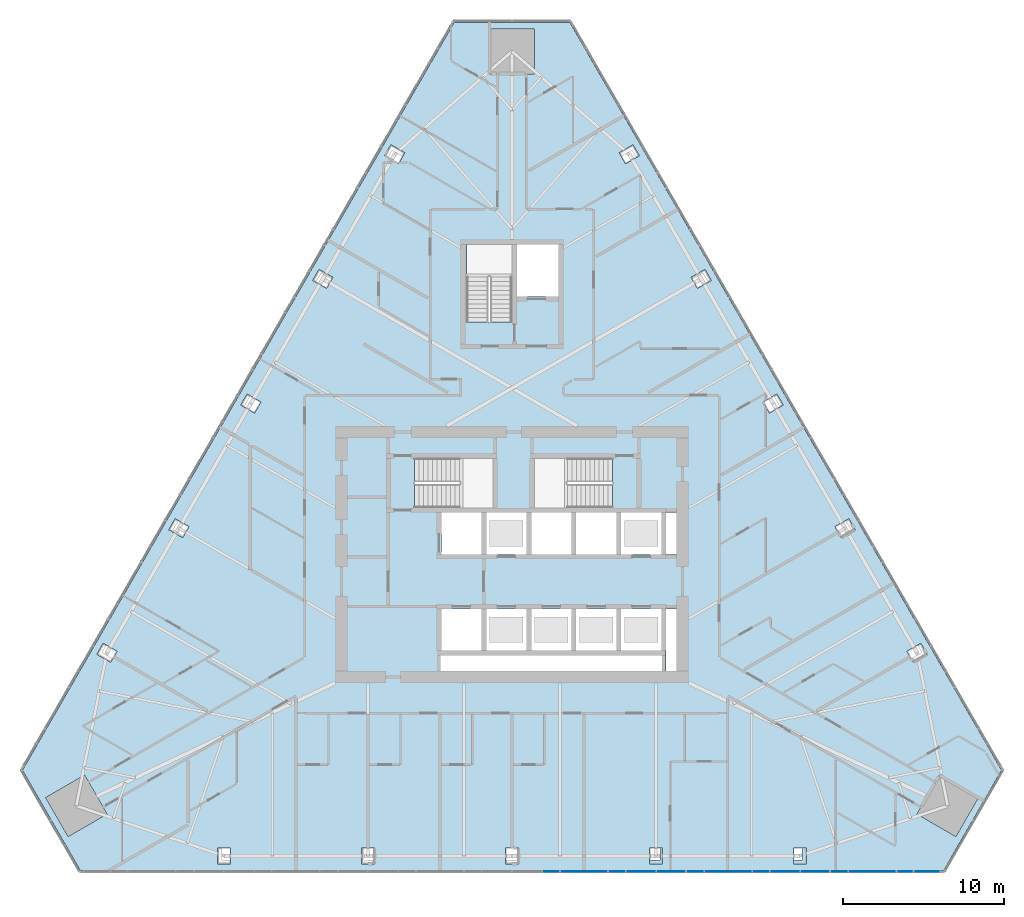
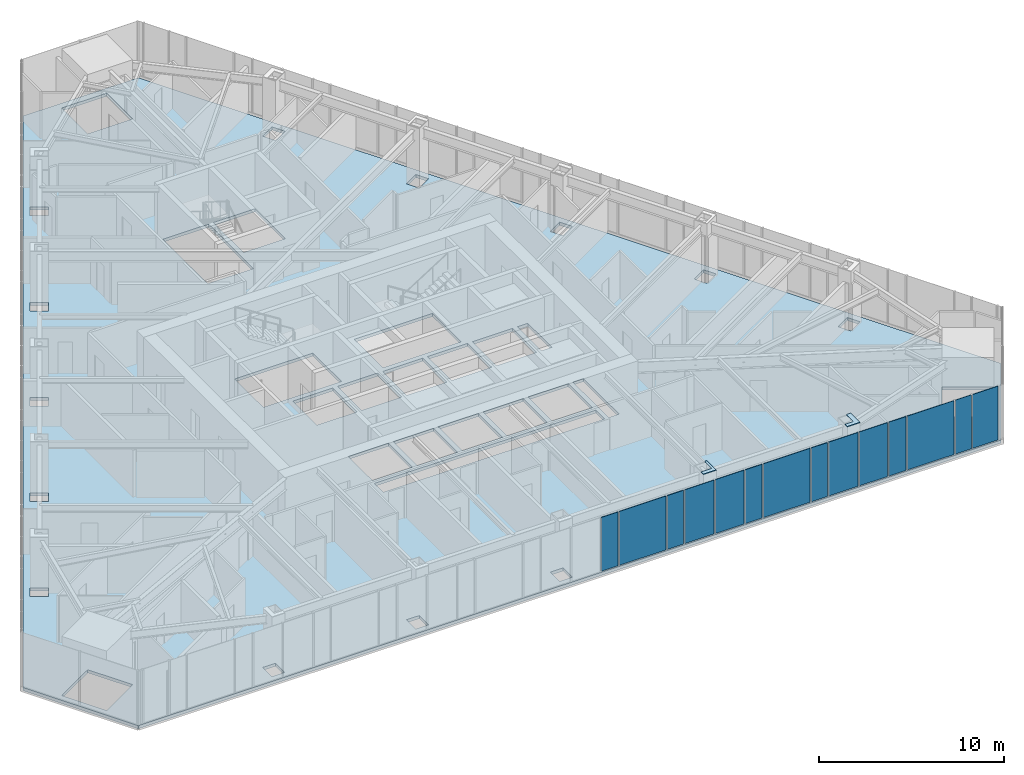
# One storey, part 15 of 26: 16 plates, 1 slab, 1 element without a shape of its own.
"""IFC4 building model written with IfcOpenShell, lengths in metres."""

from ifc_helpers import new_model, si_unit, direction, frame, origin, place, context, subcontext, project, spatial, polyline, outline, extrude, material, layer, layer_set, type_object, element, aggregate, save


model = new_model("IFC4")

# Units and contexts
model_context = context("Model", 3, precision=1e-05, world=origin(), true_north=direction((0.0, 1.0)))
body_context = subcontext(model_context, "Body", "Model", "MODEL_VIEW")
ifc_project = project(units=[si_unit("LENGTHUNIT", "METRE"), si_unit("AREAUNIT", "SQUARE_METRE"), si_unit("VOLUMEUNIT", "CUBIC_METRE"), si_unit("PLANEANGLEUNIT", "RADIAN"), si_unit("MASSUNIT", "GRAM", prefix="KILO")], contexts=[model_context])

# Site, building, storey
site_placement = place(None, origin())
site = spatial("IfcSite", under=ifc_project, at=site_placement, CompositionType="ELEMENT")
building_placement = place(site_placement, origin())
building = spatial("IfcBuilding", under=site, at=building_placement, Name="Firuza Gate Tower and Library", CompositionType="ELEMENT")
storey_placement = place(building_placement, frame((0.0, 0.0, 175.300048828125)))
storey = spatial("IfcBuildingStorey", under=building, at=storey_placement, Name="L40", CompositionType="ELEMENT", Elevation=175.300048828125)

# Plates
ifc_material_1 = material(Name="Steel S355", Category="steel")
ifc_layer_1 = layer(ifc_material_1, 0.030029296875)
ifc_layer_set_1 = layer_set([ifc_layer_1], Name="Column infill plate 30 Steel S355")
plate_type_1 = type_object("IfcPlateType", Name="Column infill plate 30 Steel S355", PredefinedType="SHEET", material=ifc_layer_set_1)
placement = place(storey_placement, frame((0.0, 0.0, 3.89990234375)))
element("IfcPlate", 1, at=placement, inside=storey, type_object=plate_type_1, Name="Infill plate L40:S4", PredefinedType="SHEET", context=body_context, shape_type="SweptSolid", body=[
    extrude(outline(polyline([(84.36181640625, 56.720458984375), (84.223876953125, 56.720458984375), (84.223876953125, 55.959716796875), (83.56201171875, 55.959716796875), (83.56201171875, 55.720458984375), (84.36181640625, 55.720458984375), (84.36181640625, 56.720458984375)])), origin(), (0.0, 0.0, 1.0), 0.030029296875),
])
element("IfcPlate", 2, at=placement, inside=storey, type_object=plate_type_1, Name="Infill plate L40:S5", PredefinedType="SHEET", context=body_context, shape_type="SweptSolid", body=[
    extrude(outline(polyline([(93.323974609375, 56.720458984375), (93.047607421875, 56.720458984375), (93.047607421875, 55.959716796875), (92.52392578125, 55.959716796875), (92.52392578125, 55.720458984375), (93.323974609375, 55.720458984375), (93.323974609375, 56.720458984375)])), origin(), (0.0, 0.0, 1.0), 0.030029296875),
])

# Slab
ifc_material_2 = material(Name="Concrete C40/50", Category="concrete")
ifc_layer_2 = layer(ifc_material_2, 0.199951171875)
ifc_layer_set_2 = layer_set([ifc_layer_2], Name="Composite floor slab 200 C40/50")
slab_type = type_object("IfcSlabType", Name="Composite floor slab 200 C40/50", PredefinedType="FLOOR", material=ifc_layer_set_2)
slab_placement = place(storey_placement, frame((0.0, 0.0, -0.199951171875)))
element("IfcSlab", 3, at=slab_placement, inside=storey, type_object=slab_type, Name="Floor slab L40", PredefinedType="FLOOR", context=body_context, shape_type="SweptSolid", body=[
    extrude(outline(polyline([(44.51416015625, 61.555908203125), (48.1142578125, 55.320556640625), (101.8857421875, 55.320556640625), (105.48583984375, 61.555908203125), (78.60009765625, 108.12353515625), (71.39990234375, 108.12353515625), (44.51416015625, 61.555908203125)]), holes=[polyline([(56.676025390625, 55.720458984375), (56.676025390625, 56.720458984375), (57.47607421875, 56.720458984375), (57.47607421875, 55.720458984375), (56.676025390625, 55.720458984375)]), polyline([(74.60009765625, 55.720458984375), (74.60009765625, 56.720458984375), (75.39990234375, 56.720458984375), (75.39990234375, 55.720458984375), (74.60009765625, 55.720458984375)]), polyline([(65.63818359375, 55.720458984375), (65.63818359375, 56.720458984375), (66.43798828125, 56.720458984375), (66.43798828125, 55.720458984375), (65.63818359375, 55.720458984375)]), polyline([(45.960693359375, 59.8505859375), (48.385498046875, 61.250732421875), (49.785400390625, 58.825927734375), (47.360595703125, 57.42578125), (45.960693359375, 59.8505859375)]), polyline([(84.35009765625, 67.75), (70.550048828125, 67.75), (70.550048828125, 68.699951171875), (84.35009765625, 68.699951171875), (84.35009765625, 67.75)]), polyline([(49.54150390625, 69.463623046875), (50.40771484375, 68.963623046875), (50.007568359375, 68.270751953125), (49.1416015625, 68.770751953125), (49.54150390625, 69.463623046875)]), polyline([(73.10009765625, 69.0), (70.60009765625, 69.0), (70.60009765625, 71.60009765625), (73.10009765625, 71.60009765625), (73.10009765625, 69.0)]), polyline([(75.89990234375, 69.0), (73.39990234375, 69.0), (73.39990234375, 71.60009765625), (75.89990234375, 71.60009765625), (75.89990234375, 69.0)]), polyline([(73.10009765625, 75.0), (70.60009765625, 75.0), (70.60009765625, 77.60009765625), (73.10009765625, 77.60009765625), (73.10009765625, 75.0)]), polyline([(75.89990234375, 75.0), (73.39990234375, 75.0), (73.39990234375, 77.60009765625), (75.89990234375, 77.60009765625), (75.89990234375, 75.0)]), polyline([(54.0224609375, 77.224853515625), (54.888671875, 76.724853515625), (54.488525390625, 76.031982421875), (53.62255859375, 76.531982421875), (54.0224609375, 77.224853515625)]), polyline([(73.81005859375, 77.89990234375), (68.9404296875, 77.89990234375), (68.9404296875, 80.97998046875), (73.81005859375, 80.97998046875), (73.81005859375, 77.89990234375)]), polyline([(58.50341796875, 84.986083984375), (59.36962890625, 84.486083984375), (58.969482421875, 83.793212890625), (58.103515625, 84.293212890625), (58.50341796875, 84.986083984375)]), polyline([(72.159912109375, 89.470458984375), (72.159912109375, 94.300048828125), (75.0, 94.300048828125), (75.0, 89.470458984375), (72.159912109375, 89.470458984375)]), polyline([(62.984375, 92.747314453125), (63.8505859375, 92.247314453125), (63.450439453125, 91.5546875), (62.58447265625, 92.0546875), (62.984375, 92.747314453125)]), polyline([(75.300048828125, 91.050048828125), (75.300048828125, 94.300048828125), (77.89990234375, 94.300048828125), (77.89990234375, 91.050048828125), (75.300048828125, 91.050048828125)]), polyline([(68.33154296875, 100.008544921875), (67.931396484375, 99.31591796875), (67.0654296875, 99.81591796875), (67.46533203125, 100.508544921875), (68.33154296875, 100.008544921875)]), polyline([(76.39990234375, 107.723388671875), (76.39990234375, 104.923583984375), (73.60009765625, 104.923583984375), (73.60009765625, 107.723388671875), (76.39990234375, 107.723388671875)]), polyline([(92.52392578125, 55.720458984375), (92.52392578125, 56.720458984375), (93.323974609375, 56.720458984375), (93.323974609375, 55.720458984375), (92.52392578125, 55.720458984375)]), polyline([(83.56201171875, 55.720458984375), (83.56201171875, 56.720458984375), (84.36181640625, 56.720458984375), (84.36181640625, 55.720458984375), (83.56201171875, 55.720458984375)]), polyline([(102.639404296875, 57.42578125), (100.214599609375, 58.825927734375), (101.614501953125, 61.250732421875), (104.039306640625, 59.8505859375), (102.639404296875, 57.42578125)]), polyline([(100.8583984375, 68.770751953125), (99.992431640625, 68.270751953125), (99.59228515625, 68.963623046875), (100.45849609375, 69.463623046875), (100.8583984375, 68.770751953125)]), polyline([(85.25, 67.75), (84.60009765625, 67.75), (84.60009765625, 71.60009765625), (85.25, 71.60009765625), (85.25, 67.75)]), polyline([(81.5, 69.0), (79.0, 69.0), (79.0, 71.60009765625), (81.5, 71.60009765625), (81.5, 69.0)]), polyline([(81.800048828125, 69.0), (81.800048828125, 71.60009765625), (84.300048828125, 71.60009765625), (84.300048828125, 69.0), (81.800048828125, 69.0)]), polyline([(76.199951171875, 69.0), (76.199951171875, 71.60009765625), (78.699951171875, 71.60009765625), (78.699951171875, 69.0), (76.199951171875, 69.0)]), polyline([(81.5, 75.0), (79.0, 75.0), (79.0, 77.60009765625), (81.5, 77.60009765625), (81.5, 75.0)]), polyline([(84.300048828125, 75.0), (81.800048828125, 75.0), (81.800048828125, 77.60009765625), (84.300048828125, 77.60009765625), (84.300048828125, 75.0)]), polyline([(85.25, 75.0), (84.60009765625, 75.0), (84.60009765625, 77.60009765625), (85.25, 77.60009765625), (85.25, 75.0)]), polyline([(78.699951171875, 75.0), (76.199951171875, 75.0), (76.199951171875, 77.60009765625), (78.699951171875, 77.60009765625), (78.699951171875, 75.0)]), polyline([(96.37744140625, 76.531982421875), (95.511474609375, 76.031982421875), (95.111328125, 76.724853515625), (95.9775390625, 77.224853515625), (96.37744140625, 76.531982421875)]), polyline([(81.259521484375, 77.89990234375), (76.389892578125, 77.89990234375), (76.389892578125, 80.97998046875), (81.259521484375, 80.97998046875), (81.259521484375, 77.89990234375)]), polyline([(91.896484375, 84.293212890625), (91.030517578125, 83.793212890625), (90.63037109375, 84.486083984375), (91.49658203125, 84.986083984375), (91.896484375, 84.293212890625)]), polyline([(86.549560546875, 91.5546875), (86.1494140625, 92.247314453125), (87.015625, 92.747314453125), (87.41552734375, 92.0546875), (86.549560546875, 91.5546875)]), polyline([(82.068603515625, 99.31591796875), (81.66845703125, 100.008544921875), (82.53466796875, 100.508544921875), (82.9345703125, 99.81591796875), (82.068603515625, 99.31591796875)])]), origin(), (0.0, 0.0, 1.0), 0.199951171875),
])

# Curtain wall, plates
ifc_material_3 = material(Name="Aluminium 6063-T6", Category="aluminium")
ifc_layer_3 = layer(ifc_material_3, 0.14990234375)
ifc_layer_set_3 = layer_set([ifc_layer_3], Name="Unitised curtain wall, hotel")
curtain_wall_type = type_object("IfcCurtainWallType", Name="Unitised curtain wall, hotel", PredefinedType="NOTDEFINED", material=ifc_layer_set_3)
curtain_wall_placement = place(storey_placement, origin())
curtain_wall = element("IfcCurtainWall", 4, at=curtain_wall_placement, inside=storey, type_object=curtain_wall_type, Name="CW2 L40 S face", PredefinedType="NOTDEFINED")
ifc_material_4 = material(Name="Fritted glass", Category="glass")
ifc_layer_4 = layer(ifc_material_4, 0.030029296875)
ifc_layer_set_4 = layer_set([ifc_layer_4], Name="Fritted glass unit, hotel")
plate_type_2 = type_object("IfcPlateType", Name="Fritted glass unit, hotel", PredefinedType="CURTAIN_PANEL", material=ifc_layer_set_4)
plate_3_placement = place(storey_placement, frame((82.1240234375, 55.23046875, 0.14990234375), z_axis=(0.0, -1.0, 0.0), x_axis=(1.0, 0.0, 0.0)))
plate_3 = element("IfcPlate", 5, at=plate_3_placement, type_object=plate_type_2, Name="Glass unit", PredefinedType="CURTAIN_PANEL", context=body_context, shape_type="SweptSolid", body=[
    extrude(outline(polyline([(0.0, 0.0), (1.812255859375, 0.0), (1.812255859375, 3.550048828125), (0.0, 3.550048828125), (0.0, 0.0)])), origin(), (0.0, 0.0, -1.0), 0.030029296875),
])
plate_4_placement = place(storey_placement, frame((84.016357421875, 55.23046875, 0.14990234375), z_axis=(0.0, -1.0, 0.0), x_axis=(1.0, 0.0, 0.0)))
plate_4 = element("IfcPlate", 6, at=plate_4_placement, type_object=plate_type_2, Name="Glass unit", PredefinedType="CURTAIN_PANEL", context=body_context, shape_type="SweptSolid", body=[
    extrude(outline(polyline([(0.0, 0.0), (1.78369140625, 0.0), (1.78369140625, 3.550048828125), (0.0, 3.550048828125), (0.0, 0.0)])), origin(), (0.0, 0.0, -1.0), 0.030029296875),
])
plate_5_placement = place(storey_placement, frame((91.0859375, 55.23046875, 0.14990234375), z_axis=(0.0, -1.0, 0.0), x_axis=(1.0, 0.0, 0.0)))
plate_5 = element("IfcPlate", 7, at=plate_5_placement, type_object=plate_type_2, Name="Glass unit", PredefinedType="CURTAIN_PANEL", context=body_context, shape_type="SweptSolid", body=[
    extrude(outline(polyline([(0.0, 0.0), (1.826904296875, 0.0), (1.826904296875, 3.550048828125), (0.0, 3.550048828125), (0.0, 0.0)])), origin(), (0.0, 0.0, -1.0), 0.030029296875),
])
plate_6_placement = place(storey_placement, frame((92.99267578125, 55.23046875, 0.14990234375), z_axis=(0.0, -1.0, 0.0), x_axis=(1.0, 0.0, 0.0)))
plate_6 = element("IfcPlate", 8, at=plate_6_placement, type_object=plate_type_2, Name="Glass unit", PredefinedType="CURTAIN_PANEL", context=body_context, shape_type="SweptSolid", body=[
    extrude(outline(polyline([(0.0, 0.0), (1.769287109375, 0.0), (1.769287109375, 3.550048828125), (0.0, 3.550048828125), (0.0, 0.0)])), origin(), (0.0, 0.0, -1.0), 0.030029296875),
])
plate_7_placement = place(storey_placement, frame((100.0478515625, 55.23046875, 0.14990234375), z_axis=(0.0, -1.0, 0.0), x_axis=(1.0, 0.0, 0.0)))
plate_7 = element("IfcPlate", 9, at=plate_7_placement, type_object=plate_type_2, Name="Glass unit", PredefinedType="CURTAIN_PANEL", context=body_context, shape_type="SweptSolid", body=[
    extrude(outline(polyline([(0.0, 0.0), (1.5751953125, 0.0), (1.5751953125, 3.550048828125), (0.0, 3.550048828125), (0.0, 0.0)])), origin(), (0.0, 0.0, -1.0), 0.030029296875),
])
ifc_material_5 = material(Name="Glazed ceramic tile")
ifc_layer_5 = layer(ifc_material_5, 0.030029296875)
ifc_layer_set_5 = layer_set([ifc_layer_5], Name="Opaque ceramic panel, hotel")
plate_type_3 = type_object("IfcPlateType", Name="Opaque ceramic panel, hotel", PredefinedType="CURTAIN_PANEL", material=ifc_layer_set_5)
plate_8_placement = place(storey_placement, frame((76.91796875, 55.23046875, 0.14990234375), z_axis=(0.0, -1.0, 0.0), x_axis=(1.0, 0.0, 0.0)))
plate_8 = element("IfcPlate", 10, at=plate_8_placement, type_object=plate_type_3, Name="Opaque ceramic panel", PredefinedType="CURTAIN_PANEL", context=body_context, shape_type="SweptSolid", body=[
    extrude(outline(polyline([(0.0, 0.0), (1.0341796875, 0.0), (1.0341796875, 3.550048828125), (0.0, 3.550048828125), (0.0, 0.0)])), origin(), (0.0, 0.0, -1.0), 0.030029296875),
])
plate_9_placement = place(storey_placement, frame((78.0322265625, 55.23046875, 0.14990234375), z_axis=(0.0, -1.0, 0.0), x_axis=(1.0, 0.0, 0.0)))
plate_9 = element("IfcPlate", 11, at=plate_9_placement, type_object=plate_type_3, Name="Opaque ceramic panel", PredefinedType="CURTAIN_PANEL", context=body_context, shape_type="SweptSolid", body=[
    extrude(outline(polyline([(0.0, 0.0), (2.912109375, 0.0), (2.912109375, 3.550048828125), (0.0, 3.550048828125), (0.0, 0.0)])), origin(), (0.0, 0.0, -1.0), 0.030029296875),
])
plate_10_placement = place(storey_placement, frame((81.024169921875, 55.23046875, 0.14990234375), z_axis=(0.0, -1.0, 0.0), x_axis=(1.0, 0.0, 0.0)))
plate_10 = element("IfcPlate", 12, at=plate_10_placement, type_object=plate_type_3, Name="Opaque ceramic panel", PredefinedType="CURTAIN_PANEL", context=body_context, shape_type="SweptSolid", body=[
    extrude(outline(polyline([(0.0, 0.0), (1.019775390625, 0.0), (1.019775390625, 3.550048828125), (0.0, 3.550048828125), (0.0, 0.0)])), origin(), (0.0, 0.0, -1.0), 0.030029296875),
])
plate_11_placement = place(storey_placement, frame((85.8798828125, 55.23046875, 0.14990234375), z_axis=(0.0, -1.0, 0.0), x_axis=(1.0, 0.0, 0.0)))
plate_11 = element("IfcPlate", 13, at=plate_11_placement, type_object=plate_type_3, Name="Opaque ceramic panel", PredefinedType="CURTAIN_PANEL", context=body_context, shape_type="SweptSolid", body=[
    extrude(outline(polyline([(0.0, 0.0), (1.048583984375, 0.0), (1.048583984375, 3.550048828125), (0.0, 3.550048828125), (0.0, 0.0)])), origin(), (0.0, 0.0, -1.0), 0.030029296875),
])
plate_12_placement = place(storey_placement, frame((87.008544921875, 55.23046875, 0.14990234375), z_axis=(0.0, -1.0, 0.0), x_axis=(1.0, 0.0, 0.0)))
plate_12 = element("IfcPlate", 14, at=plate_12_placement, type_object=plate_type_3, Name="Opaque ceramic panel", PredefinedType="CURTAIN_PANEL", context=body_context, shape_type="SweptSolid", body=[
    extrude(outline(polyline([(0.0, 0.0), (2.912109375, 0.0), (2.912109375, 3.550048828125), (0.0, 3.550048828125), (0.0, 0.0)])), origin(), (0.0, 0.0, -1.0), 0.030029296875),
])
plate_13_placement = place(storey_placement, frame((90.00048828125, 55.23046875, 0.14990234375), z_axis=(0.0, -1.0, 0.0), x_axis=(1.0, 0.0, 0.0)))
plate_13 = element("IfcPlate", 15, at=plate_13_placement, type_object=plate_type_3, Name="Opaque ceramic panel", PredefinedType="CURTAIN_PANEL", context=body_context, shape_type="SweptSolid", body=[
    extrude(outline(polyline([(0.0, 0.0), (1.00537109375, 0.0), (1.00537109375, 3.550048828125), (0.0, 3.550048828125), (0.0, 0.0)])), origin(), (0.0, 0.0, -1.0), 0.030029296875),
])
plate_14_placement = place(storey_placement, frame((94.841796875, 55.23046875, 0.14990234375), z_axis=(0.0, -1.0, 0.0), x_axis=(1.0, 0.0, 0.0)))
plate_14 = element("IfcPlate", 16, at=plate_14_placement, type_object=plate_type_3, Name="Opaque ceramic panel", PredefinedType="CURTAIN_PANEL", context=body_context, shape_type="SweptSolid", body=[
    extrude(outline(polyline([(0.0, 0.0), (1.06298828125, 0.0), (1.06298828125, 3.550048828125), (0.0, 3.550048828125), (0.0, 0.0)])), origin(), (0.0, 0.0, -1.0), 0.030029296875),
])
plate_15_placement = place(storey_placement, frame((95.98486328125, 55.23046875, 0.14990234375), z_axis=(0.0, -1.0, 0.0), x_axis=(1.0, 0.0, 0.0)))
plate_15 = element("IfcPlate", 17, at=plate_15_placement, type_object=plate_type_3, Name="Opaque ceramic panel", PredefinedType="CURTAIN_PANEL", context=body_context, shape_type="SweptSolid", body=[
    extrude(outline(polyline([(0.0, 0.0), (2.912109375, 0.0), (2.912109375, 3.550048828125), (0.0, 3.550048828125), (0.0, 0.0)])), origin(), (0.0, 0.0, -1.0), 0.030029296875),
])
plate_16_placement = place(storey_placement, frame((98.97705078125, 55.23046875, 0.14990234375), z_axis=(0.0, -1.0, 0.0), x_axis=(1.0, 0.0, 0.0)))
plate_16 = element("IfcPlate", 18, at=plate_16_placement, type_object=plate_type_3, Name="Opaque ceramic panel", PredefinedType="CURTAIN_PANEL", context=body_context, shape_type="SweptSolid", body=[
    extrude(outline(polyline([(0.0, 0.0), (0.99072265625, 0.0), (0.99072265625, 3.550048828125), (0.0, 3.550048828125), (0.0, 0.0)])), origin(), (0.0, 0.0, -1.0), 0.030029296875),
])
aggregate(curtain_wall, [plate_8, plate_9, plate_10, plate_3, plate_4, plate_11, plate_12, plate_13, plate_5, plate_6, plate_14, plate_15, plate_16, plate_7])

save(model, "model.ifc")
